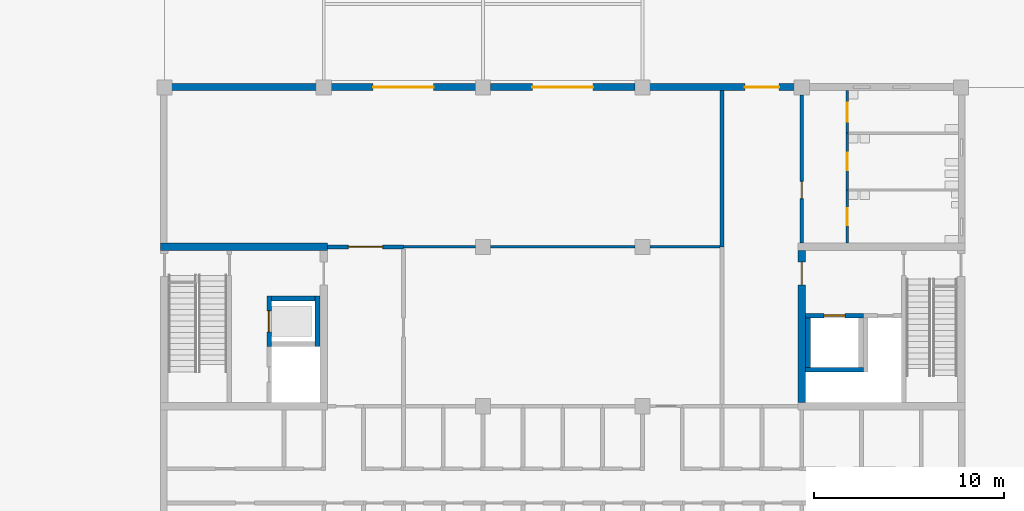
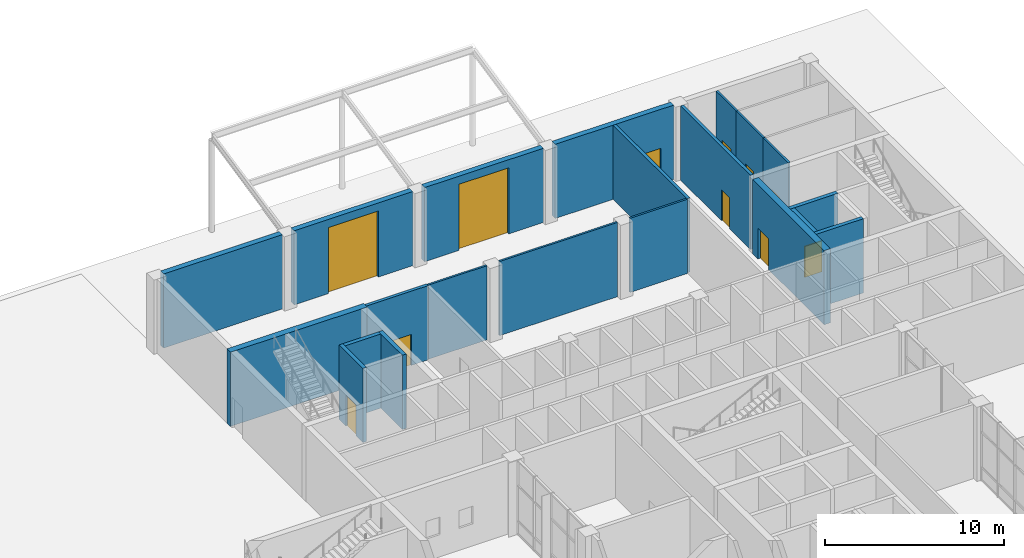
# One storey, part 49 of 76: 21 walls, 11 doors, 11 openings.
"""IFC4 building model written with IfcOpenShell, lengths in metres."""

from ifc_helpers import new_model, si_unit, direction, frame, frame_2d, origin, place, context, subcontext, project, spatial, rectangle, extrude, material, layer, layer_set, type_object, element, fill, save


model = new_model("IFC4")

# Units and contexts
model_context = context("Model", 3, precision=1e-05, world=origin(), true_north=direction((0.0, 1.0)))
body_context = subcontext(model_context, "Body", "Model", "MODEL_VIEW")
ifc_project = project(units=[si_unit("LENGTHUNIT", "METRE"), si_unit("AREAUNIT", "SQUARE_METRE"), si_unit("VOLUMEUNIT", "CUBIC_METRE"), si_unit("PLANEANGLEUNIT", "RADIAN"), si_unit("MASSUNIT", "GRAM", prefix="KILO")], contexts=[model_context])

# Site, building, storey
site_placement = place(None, origin())
site = spatial("IfcSite", under=ifc_project, at=site_placement, CompositionType="ELEMENT")
building_placement = place(site_placement, origin())
building = spatial("IfcBuilding", under=site, at=building_placement, Name="Hlaing Beacon Police Headquarters", CompositionType="ELEMENT")
storey_placement = place(building_placement, origin())
storey = spatial("IfcBuildingStorey", under=building, at=storey_placement, Name="L00", CompositionType="ELEMENT", Elevation=0.0)

# Wall
ifc_material_1 = material(Name="Concrete C60/75", Category="concrete")
ifc_layer_1 = layer(ifc_material_1, 0.39990234375)
ifc_layer_set_1 = layer_set([ifc_layer_1], Name="Concrete C60/75")
wall_type_1 = type_object("IfcWallType", Name="Core shear wall 400", PredefinedType="SHEAR", material=ifc_layer_set_1)
wall_1_placement = place(storey_placement, frame((92.199951171875, 84.0, 0.0), z_axis=(0.0, 0.0, 1.0), x_axis=(1.0, 0.0, 0.0)))
element("IfcWall", 1, at=wall_1_placement, inside=storey, type_object=wall_type_1, Name="Core shear wall", PredefinedType="SHEAR", context=body_context, shape_type="SweptSolid", body=[
    extrude(rectangle(XDim=8.800048828125, YDim=0.39990234375, at=frame_2d((4.39990234375, 0.0))), origin(), (0.0, 0.0, 1.0), 5.050048828125),
])

# Wall, opening, door
wall_2_placement = place(storey_placement, frame((126.0, 75.800048828125, 0.0), z_axis=(0.0, 0.0, 1.0), x_axis=(0.0, 1.0, 0.0)))
wall_2 = element("IfcWall", 2, at=wall_2_placement, inside=storey, type_object=wall_type_1, Name="Core shear wall", PredefinedType="SHEAR", context=body_context, shape_type="SweptSolid", body=[
    extrude(rectangle(XDim=8.0, YDim=0.39990234375, at=frame_2d((4.0, 0.0))), origin(), (0.0, 0.0, 1.0), 5.050048828125),
])
opening_1_placement = place(wall_2_placement, frame((6.199951171875, 0.0, 0.0)))
opening_1 = element("IfcOpeningElement", 3, at=opening_1_placement, cuts=wall_2, Name="Opening L00-981", PredefinedType="OPENING", context=body_context, shape_type="SweptSolid", body=[
    extrude(rectangle(XDim=1.199951171875, YDim=2.10009765625, at=frame_2d((0.60009765625, 1.050048828125))), frame((0.0, 0.2099609375, 0.0), z_axis=(0.0, -1.0, 0.0), x_axis=(1.0, 0.0, 0.0)), (0.0, 0.0, 1.0), 0.419921875),
])
ifc_material_2 = material(Name="Steel fire door leaf", Category="steel")
ifc_layer_2 = layer(ifc_material_2, 0.070068359375)
ifc_layer_set_2 = layer_set([ifc_layer_2], Name="Steel fire door leaf")
door_type_1 = type_object("IfcDoorType", Name="Steel fire door FD60S 1200x2100", OperationType="SINGLE_SWING_LEFT", PredefinedType="DOOR", material=ifc_layer_set_2)
door_1_placement = place(opening_1_placement, frame((1.199951171875, 0.0, 0.0), z_axis=(0.0, 0.0, 1.0), x_axis=(-1.0, 0.0, 0.0)))
door_1 = element("IfcDoor", 4, at=door_1_placement, inside=storey, type_object=door_type_1, Name="Door Firefighting Lobby Entry", OperationType="SINGLE_SWING_LEFT", OverallHeight=2.10009765625, OverallWidth=1.199951171875, PredefinedType="DOOR", context=body_context, shape_type="SweptSolid", body=[
    extrude(rectangle(XDim=1.199951171875, YDim=2.10009765625, at=frame_2d((0.599853515625, 1.050048828125))), frame((0.0, 0.034912109375, 0.0), z_axis=(0.0, -1.0, 0.0), x_axis=(1.0, 0.0, 0.0)), (0.0, 0.0, 1.0), 0.070068359375),
])
fill(opening_1, door_1)

ifc_material_3 = material(Name="Concrete blockwork 7.5 N/mm2", Category="masonry")
ifc_layer_3 = layer(ifc_material_3, 0.199951171875)
ifc_layer_set_3 = layer_set([ifc_layer_3], Name="Concrete blockwork 7.5 N/mm2")
wall_type_2 = type_object("IfcWallType", Name="Lobby wall EI 120 200", PredefinedType="PARTITIONING", material=ifc_layer_set_3)
wall_3_placement = place(storey_placement, frame((101.0, 84.0, 0.0), z_axis=(0.0, 0.0, 1.0), x_axis=(1.0, 0.0, 0.0)))
wall_3 = element("IfcWall", 5, at=wall_3_placement, inside=storey, type_object=wall_type_2, Name="Lobby wall EI 120 200", PredefinedType="PARTITIONING", context=body_context, shape_type="SweptSolid", body=[
    extrude(rectangle(XDim=4.0, YDim=0.199951171875, at=frame_2d((2.0, 0.0))), origin(), (0.0, 0.0, 1.0), 5.050048828125),
])
opening_2_placement = place(wall_3_placement, frame((1.10009765625, 0.0, 0.0)))
opening_2 = element("IfcOpeningElement", 6, at=opening_2_placement, cuts=wall_3, Name="Opening L00-109", PredefinedType="OPENING", context=body_context, shape_type="SweptSolid", body=[
    extrude(rectangle(XDim=1.800048828125, YDim=2.10009765625, at=frame_2d((0.89990234375, 1.050048828125))), frame((0.0, 0.10986328125, 0.0), z_axis=(0.0, -1.0, 0.0), x_axis=(1.0, 0.0, 0.0)), (0.0, 0.0, 1.0), 0.219970703125),
])
ifc_material_4 = material(Name="Hardwood door leaf", Category="wood")
ifc_layer_4 = layer(ifc_material_4, 0.06005859375)
ifc_layer_set_4 = layer_set([ifc_layer_4], Name="Hardwood door leaf")
door_type_2 = type_object("IfcDoorType", Name="Fire double door FD60S 1800x2100", OperationType="DOUBLE_DOOR_SINGLE_SWING", PredefinedType="DOOR", material=ifc_layer_set_4)
door_2_placement = place(opening_2_placement, frame((1.800048828125, 0.0, 0.0), z_axis=(0.0, 0.0, 1.0), x_axis=(-1.0, 0.0, 0.0)))
door_2 = element("IfcDoor", 7, at=door_2_placement, inside=storey, type_object=door_type_2, Name="Door Sally Port", OperationType="DOUBLE_DOOR_SINGLE_SWING", OverallHeight=2.10009765625, OverallWidth=1.800048828125, PredefinedType="DOOR", context=body_context, shape_type="SweptSolid", body=[
    extrude(rectangle(XDim=1.800048828125, YDim=2.10009765625, at=frame_2d((0.900146484375, 1.050048828125))), frame((0.0, 0.030029296875, 0.0), z_axis=(0.0, -1.0, 0.0), x_axis=(1.0, 0.0, 0.0)), (0.0, 0.0, 1.0), 0.06005859375),
])
fill(opening_2, door_2)

# Wall
wall_4_placement = place(storey_placement, frame((121.800048828125, 84.0, 0.0), z_axis=(0.0, 0.0, 1.0), x_axis=(0.0, 1.0, 0.0)))
element("IfcWall", 8, at=wall_4_placement, inside=storey, type_object=wall_type_2, Name="Lobby wall EI 120 200", PredefinedType="PARTITIONING", context=body_context, shape_type="SweptSolid", body=[
    extrude(rectangle(XDim=8.25, YDim=0.199951171875, at=frame_2d((4.125, 0.0))), origin(), (0.0, 0.0, 1.0), 5.050048828125),
])

# Wall, opening, door
wall_5_placement = place(storey_placement, frame((126.0, 84.199951171875, 0.0), z_axis=(0.0, 0.0, 1.0), x_axis=(0.0, 1.0, 0.0)))
wall_5 = element("IfcWall", 9, at=wall_5_placement, inside=storey, type_object=wall_type_2, Name="Lobby wall EI 120 200", PredefinedType="PARTITIONING", context=body_context, shape_type="SweptSolid", body=[
    extrude(rectangle(XDim=7.800048828125, YDim=0.199951171875, at=frame_2d((3.89990234375, 0.0))), origin(), (0.0, 0.0, 1.0), 5.050048828125),
])
opening_3_placement = place(wall_5_placement, frame((2.35009765625, 0.0, 0.0)))
opening_3 = element("IfcOpeningElement", 10, at=opening_3_placement, cuts=wall_5, Name="Opening L00-113", PredefinedType="OPENING", context=body_context, shape_type="SweptSolid", body=[
    extrude(rectangle(XDim=0.89990234375, YDim=2.10009765625, at=frame_2d((0.449951171875, 1.050048828125))), frame((0.0, 0.10986328125, 0.0), z_axis=(0.0, -1.0, 0.0), x_axis=(1.0, 0.0, 0.0)), (0.0, 0.0, 1.0), 0.219970703125),
])
ifc_material_5 = material(Name="Hardwood door leaf", Category="wood")
ifc_layer_5 = layer(ifc_material_5, 0.06005859375)
ifc_layer_set_5 = layer_set([ifc_layer_5], Name="Hardwood door leaf")
door_type_3 = type_object("IfcDoorType", Name="Fire door FD60S 900x2100", OperationType="SINGLE_SWING_LEFT", PredefinedType="DOOR", material=ifc_layer_set_5)
door_3_placement = place(opening_3_placement, frame((0.89990234375, 0.0, 0.0), z_axis=(0.0, 0.0, 1.0), x_axis=(-1.0, 0.0, 0.0)))
door_3 = element("IfcDoor", 11, at=door_3_placement, inside=storey, type_object=door_type_3, Name="Door WC Lobby", OperationType="SINGLE_SWING_RIGHT", OverallHeight=2.10009765625, OverallWidth=0.89990234375, PredefinedType="DOOR", context=body_context, shape_type="SweptSolid", body=[
    extrude(rectangle(XDim=0.89990234375, YDim=2.10009765625, at=frame_2d((0.449951171875, 1.050048828125))), frame((0.0, 0.030029296875, 0.0), z_axis=(0.0, -1.0, 0.0), x_axis=(1.0, 0.0, 0.0)), (0.0, 0.0, 1.0), 0.06005859375),
])
fill(opening_3, door_3)

# Walls
ifc_material_6 = material(Name="Gypsum board partition")
ifc_layer_6 = layer(ifc_material_6, 0.125)
ifc_layer_set_6 = layer_set([ifc_layer_6], Name="Gypsum board partition")
wall_type_3 = type_object("IfcWallType", Name="Partition 125", PredefinedType="PARTITIONING", material=ifc_layer_set_6)
wall_6_placement = place(storey_placement, frame((105.0, 84.0, 0.0), z_axis=(0.0, 0.0, 1.0), x_axis=(1.0, 0.0, 0.0)))
element("IfcWall", 12, at=wall_6_placement, inside=storey, type_object=wall_type_3, Name="Partition 125", PredefinedType="PARTITIONING", context=body_context, shape_type="SweptSolid", body=[
    extrude(rectangle(XDim=3.800048828125, YDim=0.125, at=frame_2d((1.89990234375, 0.0))), origin(), (0.0, 0.0, 1.0), 5.050048828125),
])
wall_7_placement = place(storey_placement, frame((109.60009765625, 84.0, 0.0), z_axis=(0.0, 0.0, 1.0), x_axis=(1.0, 0.0, 0.0)))
element("IfcWall", 13, at=wall_7_placement, inside=storey, type_object=wall_type_3, Name="Partition 125", PredefinedType="PARTITIONING", context=body_context, shape_type="SweptSolid", body=[
    extrude(rectangle(XDim=7.599853515625, YDim=0.125, at=frame_2d((3.7998046875, 0.0))), origin(), (0.0, 0.0, 1.0), 5.050048828125),
])
wall_8_placement = place(storey_placement, frame((118.0, 84.0, 0.0), z_axis=(0.0, 0.0, 1.0), x_axis=(1.0, 0.0, 0.0)))
element("IfcWall", 14, at=wall_8_placement, inside=storey, type_object=wall_type_3, Name="Partition 125", PredefinedType="PARTITIONING", context=body_context, shape_type="SweptSolid", body=[
    extrude(rectangle(XDim=3.699951171875, YDim=0.125, at=frame_2d((1.85009765625, 0.0))), origin(), (0.0, 0.0, 1.0), 5.050048828125),
])

# Wall, opening, door
wall_9_placement = place(storey_placement, frame((128.39990234375, 90.0, 0.0), z_axis=(0.0, 0.0, 1.0), x_axis=(0.0, 1.0, 0.0)))
wall_9 = element("IfcWall", 15, at=wall_9_placement, inside=storey, type_object=wall_type_3, Name="Partition 125", PredefinedType="PARTITIONING", context=body_context, shape_type="SweptSolid", body=[
    extrude(rectangle(XDim=2.25, YDim=0.125, at=frame_2d((1.125, 0.0))), origin(), (0.0, 0.0, 1.0), 5.050048828125),
])
opening_4_placement = place(wall_9_placement, frame((0.60009765625, 0.0, 0.0)))
opening_4 = element("IfcOpeningElement", 16, at=opening_4_placement, cuts=wall_9, Name="Opening L00-111", PredefinedType="OPENING", context=body_context, shape_type="SweptSolid", body=[
    extrude(rectangle(XDim=1.0, YDim=2.10009765625, at=frame_2d((0.5, 1.050048828125))), frame((0.0, 0.072509765625, 0.0), z_axis=(0.0, -1.0, 0.0), x_axis=(1.0, 0.0, 0.0)), (0.0, 0.0, 1.0), 0.14501953125),
])
ifc_material_7 = material(Name="Hardwood door leaf", Category="wood")
ifc_layer_7 = layer(ifc_material_7, 0.0400390625)
ifc_layer_set_7 = layer_set([ifc_layer_7], Name="Hardwood door leaf")
door_type_4 = type_object("IfcDoorType", Name="Door 1000x2100", OperationType="SINGLE_SWING_LEFT", PredefinedType="DOOR", material=ifc_layer_set_7)
door_4_placement = place(opening_4_placement, frame((1.0, 0.0, 0.0), z_axis=(0.0, 0.0, 1.0), x_axis=(-1.0, 0.0, 0.0)))
door_4 = element("IfcDoor", 17, at=door_4_placement, inside=storey, type_object=door_type_4, Name="Door Accessible WC", OperationType="SINGLE_SWING_LEFT", OverallHeight=2.10009765625, OverallWidth=1.0, PredefinedType="DOOR", context=body_context, shape_type="SweptSolid", body=[
    extrude(rectangle(XDim=1.0, YDim=2.10009765625, at=frame_2d((0.5, 1.050048828125))), frame((0.0, 0.02001953125, 0.0), z_axis=(0.0, -1.0, 0.0), x_axis=(1.0, 0.0, 0.0)), (0.0, 0.0, 1.0), 0.0400390625),
])
fill(opening_4, door_4)

wall_10_placement = place(storey_placement, frame((128.39990234375, 87.0, 0.0), z_axis=(0.0, 0.0, 1.0), x_axis=(0.0, 1.0, 0.0)))
wall_10 = element("IfcWall", 18, at=wall_10_placement, inside=storey, type_object=wall_type_3, Name="Partition 125", PredefinedType="PARTITIONING", context=body_context, shape_type="SweptSolid", body=[
    extrude(rectangle(XDim=3.0, YDim=0.125, at=frame_2d((1.5, 0.0))), origin(), (0.0, 0.0, 1.0), 5.050048828125),
])
opening_5_placement = place(wall_10_placement, frame((1.050048828125, 0.0, 0.0)))
opening_5 = element("IfcOpeningElement", 19, at=opening_5_placement, cuts=wall_10, Name="Opening L00-112", PredefinedType="OPENING", context=body_context, shape_type="SweptSolid", body=[
    extrude(rectangle(XDim=0.89990234375, YDim=2.10009765625, at=frame_2d((0.449951171875, 1.050048828125))), frame((0.0, 0.072509765625, 0.0), z_axis=(0.0, -1.0, 0.0), x_axis=(1.0, 0.0, 0.0)), (0.0, 0.0, 1.0), 0.14501953125),
])
ifc_material_8 = material(Name="Hardwood door leaf", Category="wood")
ifc_layer_8 = layer(ifc_material_8, 0.0400390625)
ifc_layer_set_8 = layer_set([ifc_layer_8], Name="Hardwood door leaf")
door_type_5 = type_object("IfcDoorType", Name="Door 900x2100", OperationType="SINGLE_SWING_LEFT", PredefinedType="DOOR", material=ifc_layer_set_8)
door_5_placement = place(opening_5_placement, frame((0.89990234375, 0.0, 0.0), z_axis=(0.0, 0.0, 1.0), x_axis=(-1.0, 0.0, 0.0)))
door_5 = element("IfcDoor", 20, at=door_5_placement, inside=storey, type_object=door_type_5, Name="Door Female WC", OperationType="SINGLE_SWING_LEFT", OverallHeight=2.10009765625, OverallWidth=0.89990234375, PredefinedType="DOOR", context=body_context, shape_type="SweptSolid", body=[
    extrude(rectangle(XDim=0.89990234375, YDim=2.10009765625, at=frame_2d((0.449951171875, 1.050048828125))), frame((0.0, 0.02001953125, 0.0), z_axis=(0.0, -1.0, 0.0), x_axis=(1.0, 0.0, 0.0)), (0.0, 0.0, 1.0), 0.0400390625),
])
fill(opening_5, door_5)

wall_11_placement = place(storey_placement, frame((128.39990234375, 84.199951171875, 0.0), z_axis=(0.0, 0.0, 1.0), x_axis=(0.0, 1.0, 0.0)))
wall_11 = element("IfcWall", 21, at=wall_11_placement, inside=storey, type_object=wall_type_3, Name="Partition 125", PredefinedType="PARTITIONING", context=body_context, shape_type="SweptSolid", body=[
    extrude(rectangle(XDim=2.800048828125, YDim=0.125, at=frame_2d((1.39990234375, 0.0))), origin(), (0.0, 0.0, 1.0), 5.050048828125),
])
opening_6_placement = place(wall_11_placement, frame((0.949951171875, 0.0, 0.0)))
opening_6 = element("IfcOpeningElement", 22, at=opening_6_placement, cuts=wall_11, Name="Opening L00-114", PredefinedType="OPENING", context=body_context, shape_type="SweptSolid", body=[
    extrude(rectangle(XDim=0.89990234375, YDim=2.10009765625, at=frame_2d((0.449951171875, 1.050048828125))), frame((0.0, 0.072509765625, 0.0), z_axis=(0.0, -1.0, 0.0), x_axis=(1.0, 0.0, 0.0)), (0.0, 0.0, 1.0), 0.14501953125),
])
door_6_placement = place(opening_6_placement, frame((0.89990234375, 0.0, 0.0), z_axis=(0.0, 0.0, 1.0), x_axis=(-1.0, 0.0, 0.0)))
door_6 = element("IfcDoor", 23, at=door_6_placement, inside=storey, type_object=door_type_5, Name="Door Male WC", OperationType="SINGLE_SWING_LEFT", OverallHeight=2.10009765625, OverallWidth=0.89990234375, PredefinedType="DOOR", context=body_context, shape_type="SweptSolid", body=[
    extrude(rectangle(XDim=0.89990234375, YDim=2.10009765625, at=frame_2d((0.449951171875, 1.050048828125))), frame((0.0, 0.02001953125, 0.0), z_axis=(0.0, -1.0, 0.0), x_axis=(1.0, 0.0, 0.0)), (0.0, 0.0, 1.0), 0.0400390625),
])
fill(opening_6, door_6)

ifc_material_9 = material(Name="Concrete C40/50 precast with security mesh", Category="concrete")
ifc_layer_9 = layer(ifc_material_9, 0.35009765625)
ifc_layer_set_9 = layer_set([ifc_layer_9], Name="Concrete C40/50 precast with security mesh")
wall_type_4 = type_object("IfcWallType", Name="Precast security wall 350", PredefinedType="SOLIDWALL", material=ifc_layer_set_9)
wall_12_placement = place(storey_placement, frame((125.6201171875, 92.425048828125, 0.0), z_axis=(0.0, 0.0, 1.0), x_axis=(-1.0, 0.0, 0.0)))
wall_12 = element("IfcWall", 24, at=wall_12_placement, inside=storey, type_object=wall_type_4, Name="External wall L00 N033", PredefinedType="SOLIDWALL", context=body_context, shape_type="SweptSolid", body=[
    extrude(rectangle(XDim=7.64013671875, YDim=0.35009765625, at=frame_2d((3.820068359375, 0.0))), origin(), (0.0, 0.0, 1.0), 5.050048828125),
])
opening_7_placement = place(wall_12_placement, frame((0.820068359375, 0.0, 0.0)))
opening_7 = element("IfcOpeningElement", 25, at=opening_7_placement, cuts=wall_12, Name="Opening L00-811", PredefinedType="OPENING", context=body_context, shape_type="SweptSolid", body=[
    extrude(rectangle(XDim=1.800048828125, YDim=2.39990234375, at=frame_2d((0.89990234375, 1.199951171875))), frame((0.0, 0.18505859375, 0.0), z_axis=(0.0, -1.0, 0.0), x_axis=(1.0, 0.0, 0.0)), (0.0, 0.0, 1.0), 0.3701171875),
])
ifc_material_10 = material(Name="Aluminium framed glazed door", Category="aluminium")
door_type_6 = type_object("IfcDoorType", Name="Entrance door 1800x2400 double", OperationType="DOUBLE_DOOR_DOUBLE_SWING", PredefinedType="DOOR", material=ifc_material_10)
door_7_placement = place(opening_7_placement, frame((1.800048828125, 0.0, 0.0), z_axis=(0.0, 0.0, 1.0), x_axis=(-1.0, 0.0, 0.0)))
door_7 = element("IfcDoor", 26, at=door_7_placement, inside=storey, type_object=door_type_6, Name="Door Training Entrance Lobby", OperationType="DOUBLE_DOOR_DOUBLE_SWING", OverallHeight=2.39990234375, OverallWidth=1.800048828125, PredefinedType="DOOR", context=body_context, shape_type="SweptSolid", body=[
    extrude(rectangle(XDim=1.800048828125, YDim=2.39990234375, at=frame_2d((0.900146484375, 1.199951171875))), frame((0.0, 0.025146484375, 0.0), z_axis=(0.0, -1.0, 0.0), x_axis=(1.0, 0.0, 0.0)), (0.0, 0.0, 1.0), 0.050048828125),
])
fill(opening_7, door_7)

wall_13_placement = place(storey_placement, frame((117.219970703125, 92.425048828125, 0.0), z_axis=(0.0, 0.0, 1.0), x_axis=(-1.0, 0.0, 0.0)))
wall_13 = element("IfcWall", 27, at=wall_13_placement, inside=storey, type_object=wall_type_4, Name="External wall L00 N034", PredefinedType="SOLIDWALL", context=body_context, shape_type="SweptSolid", body=[
    extrude(rectangle(XDim=7.639892578125, YDim=0.35009765625, at=frame_2d((3.81982421875, 0.0))), origin(), (0.0, 0.0, 1.0), 5.050048828125),
])
opening_8_placement = place(wall_13_placement, frame((2.219970703125, 0.0, 0.0)))
opening_8 = element("IfcOpeningElement", 28, at=opening_8_placement, cuts=wall_13, Name="Opening L00-812", PredefinedType="OPENING", context=body_context, shape_type="SweptSolid", body=[
    extrude(rectangle(XDim=3.199951171875, YDim=4.5, at=frame_2d((1.60009765625, 2.25))), frame((0.0, 0.18505859375, 0.0), z_axis=(0.0, -1.0, 0.0), x_axis=(1.0, 0.0, 0.0)), (0.0, 0.0, 1.0), 0.3701171875),
])
ifc_material_11 = material(Name="Galvanised steel roller shutter", Category="steel")
door_type_7 = type_object("IfcDoorType", Name="Vehicle gate 3200x4500", OperationType="ROLLINGUP", PredefinedType="GATE", material=ifc_material_11)
door_8_placement = place(opening_8_placement, frame((3.199951171875, 0.0, 0.0), z_axis=(0.0, 0.0, 1.0), x_axis=(-1.0, 0.0, 0.0)))
door_8 = element("IfcDoor", 29, at=door_8_placement, inside=storey, type_object=door_type_7, Name="Door Sally Port", OperationType="ROLLINGUP", OverallHeight=4.5, OverallWidth=3.199951171875, PredefinedType="GATE", context=body_context, shape_type="SweptSolid", body=[
    extrude(rectangle(XDim=3.199951171875, YDim=4.5, at=frame_2d((1.599853515625, 2.25))), frame((0.0, 0.025146484375, 0.0), z_axis=(0.0, -1.0, 0.0), x_axis=(1.0, 0.0, 0.0)), (0.0, 0.0, 1.0), 0.050048828125),
])
fill(opening_8, door_8)

wall_14_placement = place(storey_placement, frame((108.820068359375, 92.425048828125, 0.0), z_axis=(0.0, 0.0, 1.0), x_axis=(-1.0, 0.0, 0.0)))
wall_14 = element("IfcWall", 30, at=wall_14_placement, inside=storey, type_object=wall_type_4, Name="External wall L00 N035", PredefinedType="SOLIDWALL", context=body_context, shape_type="SweptSolid", body=[
    extrude(rectangle(XDim=7.64013671875, YDim=0.35009765625, at=frame_2d((3.820068359375, 0.0))), origin(), (0.0, 0.0, 1.0), 5.050048828125),
])
opening_9_placement = place(wall_14_placement, frame((2.219970703125, 0.0, 0.0)))
opening_9 = element("IfcOpeningElement", 31, at=opening_9_placement, cuts=wall_14, Name="Opening L00-813", PredefinedType="OPENING", context=body_context, shape_type="SweptSolid", body=[
    extrude(rectangle(XDim=3.199951171875, YDim=4.5, at=frame_2d((1.60009765625, 2.25))), frame((0.0, 0.18505859375, 0.0), z_axis=(0.0, -1.0, 0.0), x_axis=(1.0, 0.0, 0.0)), (0.0, 0.0, 1.0), 0.3701171875),
])
door_9_placement = place(opening_9_placement, frame((3.199951171875, 0.0, 0.0), z_axis=(0.0, 0.0, 1.0), x_axis=(-1.0, 0.0, 0.0)))
door_9 = element("IfcDoor", 32, at=door_9_placement, inside=storey, type_object=door_type_7, Name="Door Sally Port", OperationType="ROLLINGUP", OverallHeight=4.5, OverallWidth=3.199951171875, PredefinedType="GATE", context=body_context, shape_type="SweptSolid", body=[
    extrude(rectangle(XDim=3.199951171875, YDim=4.5, at=frame_2d((1.599853515625, 2.25))), frame((0.0, 0.025146484375, 0.0), z_axis=(0.0, -1.0, 0.0), x_axis=(1.0, 0.0, 0.0)), (0.0, 0.0, 1.0), 0.050048828125),
])
fill(opening_9, door_9)

# Walls
wall_15_placement = place(storey_placement, frame((100.419921875, 92.425048828125, 0.0), z_axis=(0.0, 0.0, 1.0), x_axis=(-1.0, 0.0, 0.0)))
element("IfcWall", 33, at=wall_15_placement, inside=storey, type_object=wall_type_4, Name="External wall L00 N036", PredefinedType="SOLIDWALL", context=body_context, shape_type="SweptSolid", body=[
    extrude(rectangle(XDim=7.639892578125, YDim=0.35009765625, at=frame_2d((3.81982421875, 0.0))), origin(), (0.0, 0.0, 1.0), 5.050048828125),
])
ifc_material_12 = material(Name="Concrete C40/50", Category="concrete")
ifc_layer_10 = layer(ifc_material_12, 0.25)
ifc_layer_set_10 = layer_set([ifc_layer_10], Name="Concrete C40/50")
wall_type_5 = type_object("IfcWallType", Name="Shaft wall 250", PredefinedType="SOLIDWALL", material=ifc_layer_set_10)
wall_16_placement = place(storey_placement, frame((100.47509765625, 78.75, 0.0), z_axis=(0.0, 0.0, 1.0), x_axis=(0.0, 1.0, 0.0)))
element("IfcWall", 34, at=wall_16_placement, inside=storey, type_object=wall_type_5, Name="Lift shaft wall DL1", PredefinedType="SOLIDWALL", context=body_context, shape_type="SweptSolid", body=[
    extrude(rectangle(XDim=2.64990234375, YDim=0.25, at=frame_2d((1.324951171875, 0.0))), origin(), (0.0, 0.0, 1.0), 5.050048828125),
])
wall_17_placement = place(storey_placement, frame((98.050048828125, 81.27490234375, 0.0), z_axis=(0.0, 0.0, 1.0), x_axis=(1.0, 0.0, 0.0)))
element("IfcWall", 35, at=wall_17_placement, inside=storey, type_object=wall_type_5, Name="Lift shaft wall DL1", PredefinedType="SOLIDWALL", context=body_context, shape_type="SweptSolid", body=[
    extrude(rectangle(XDim=2.300048828125, YDim=0.25, at=frame_2d((1.14990234375, 0.0))), origin(), (0.0, 0.0, 1.0), 5.050048828125),
])

# Wall, opening, door
wall_18_placement = place(storey_placement, frame((97.925048828125, 78.75, 0.0), z_axis=(0.0, 0.0, 1.0), x_axis=(0.0, 1.0, 0.0)))
wall_18 = element("IfcWall", 36, at=wall_18_placement, inside=storey, type_object=wall_type_5, Name="Lift shaft wall DL1", PredefinedType="SOLIDWALL", context=body_context, shape_type="SweptSolid", body=[
    extrude(rectangle(XDim=2.64990234375, YDim=0.25, at=frame_2d((1.324951171875, 0.0))), origin(), (0.0, 0.0, 1.0), 5.050048828125),
])
opening_10_placement = place(wall_18_placement, frame((0.77490234375, 0.0, 0.0)))
opening_10 = element("IfcOpeningElement", 37, at=opening_10_placement, cuts=wall_18, Name="Opening LD-DL1-L00", PredefinedType="OPENING", context=body_context, shape_type="SweptSolid", body=[
    extrude(rectangle(XDim=1.10009765625, YDim=2.10009765625, at=frame_2d((0.550048828125, 1.050048828125))), frame((0.0, 0.135009765625, 0.0), z_axis=(0.0, -1.0, 0.0), x_axis=(1.0, 0.0, 0.0)), (0.0, 0.0, 1.0), 0.27001953125),
])
ifc_material_13 = material(Name="Stainless steel lift landing door", Category="steel")
ifc_layer_11 = layer(ifc_material_13, 0.06005859375)
ifc_layer_set_11 = layer_set([ifc_layer_11], Name="Stainless steel lift landing door")
door_type_8 = type_object("IfcDoorType", Name="Lift landing door 1100x2100", OperationType="DOUBLE_DOOR_SLIDING", PredefinedType="DOOR", material=ifc_layer_set_11)
door_10_placement = place(opening_10_placement, origin())
door_10 = element("IfcDoor", 38, at=door_10_placement, inside=storey, type_object=door_type_8, Name="Landing door DL1 L00", OperationType="DOUBLE_DOOR_SLIDING", OverallHeight=2.10009765625, OverallWidth=1.10009765625, PredefinedType="DOOR", context=body_context, shape_type="SweptSolid", body=[
    extrude(rectangle(XDim=1.10009765625, YDim=2.10009765625, at=frame_2d((0.550048828125, 1.050048828125))), frame((0.0, 0.0400390625, 0.0), z_axis=(0.0, -1.0, 0.0), x_axis=(1.0, 0.0, 0.0)), (0.0, 0.0, 1.0), 0.080078125),
])
fill(opening_10, door_10)

wall_19_placement = place(storey_placement, frame((126.199951171875, 80.375, 0.0), z_axis=(0.0, 0.0, 1.0), x_axis=(1.0, 0.0, 0.0)))
wall_19 = element("IfcWall", 39, at=wall_19_placement, inside=storey, type_object=wall_type_5, Name="Lift shaft wall FL3", PredefinedType="SOLIDWALL", context=body_context, shape_type="SweptSolid", body=[
    extrude(rectangle(XDim=3.050048828125, YDim=0.25, at=frame_2d((1.52490234375, 0.0))), origin(), (0.0, 0.0, 1.0), 5.050048828125),
])
opening_11_placement = place(wall_19_placement, frame((0.97509765625, 0.0, 0.0)))
opening_11 = element("IfcOpeningElement", 40, at=opening_11_placement, cuts=wall_19, Name="Opening LD-FL3-L00", PredefinedType="OPENING", context=body_context, shape_type="SweptSolid", body=[
    extrude(rectangle(XDim=1.10009765625, YDim=2.10009765625, at=frame_2d((0.550048828125, 1.050048828125))), frame((0.0, 0.135009765625, 0.0), z_axis=(0.0, -1.0, 0.0), x_axis=(1.0, 0.0, 0.0)), (0.0, 0.0, 1.0), 0.27001953125),
])
door_11_placement = place(opening_11_placement, origin())
door_11 = element("IfcDoor", 41, at=door_11_placement, inside=storey, type_object=door_type_8, Name="Landing door FL3 L00", OperationType="DOUBLE_DOOR_SLIDING", OverallHeight=2.10009765625, OverallWidth=1.10009765625, PredefinedType="DOOR", context=body_context, shape_type="SweptSolid", body=[
    extrude(rectangle(XDim=1.10009765625, YDim=2.10009765625, at=frame_2d((0.550048828125, 1.050048828125))), frame((0.0, 0.0400390625, 0.0), z_axis=(0.0, -1.0, 0.0), x_axis=(1.0, 0.0, 0.0)), (0.0, 0.0, 1.0), 0.080078125),
])
fill(opening_11, door_11)

# Walls
wall_20_placement = place(storey_placement, frame((126.199951171875, 77.52490234375, 0.0), z_axis=(0.0, 0.0, 1.0), x_axis=(1.0, 0.0, 0.0)))
element("IfcWall", 42, at=wall_20_placement, inside=storey, type_object=wall_type_5, Name="Lift shaft wall FL3", PredefinedType="SOLIDWALL", context=body_context, shape_type="SweptSolid", body=[
    extrude(rectangle(XDim=3.050048828125, YDim=0.25, at=frame_2d((1.52490234375, 0.0))), origin(), (0.0, 0.0, 1.0), 5.050048828125),
])
wall_21_placement = place(storey_placement, frame((126.324951171875, 77.64990234375, 0.0), z_axis=(0.0, 0.0, 1.0), x_axis=(0.0, 1.0, 0.0)))
element("IfcWall", 43, at=wall_21_placement, inside=storey, type_object=wall_type_5, Name="Lift shaft wall FL3", PredefinedType="SOLIDWALL", context=body_context, shape_type="SweptSolid", body=[
    extrude(rectangle(XDim=2.60009765625, YDim=0.25, at=frame_2d((1.300048828125, 0.0))), origin(), (0.0, 0.0, 1.0), 5.050048828125),
])

save(model, "model.ifc")
